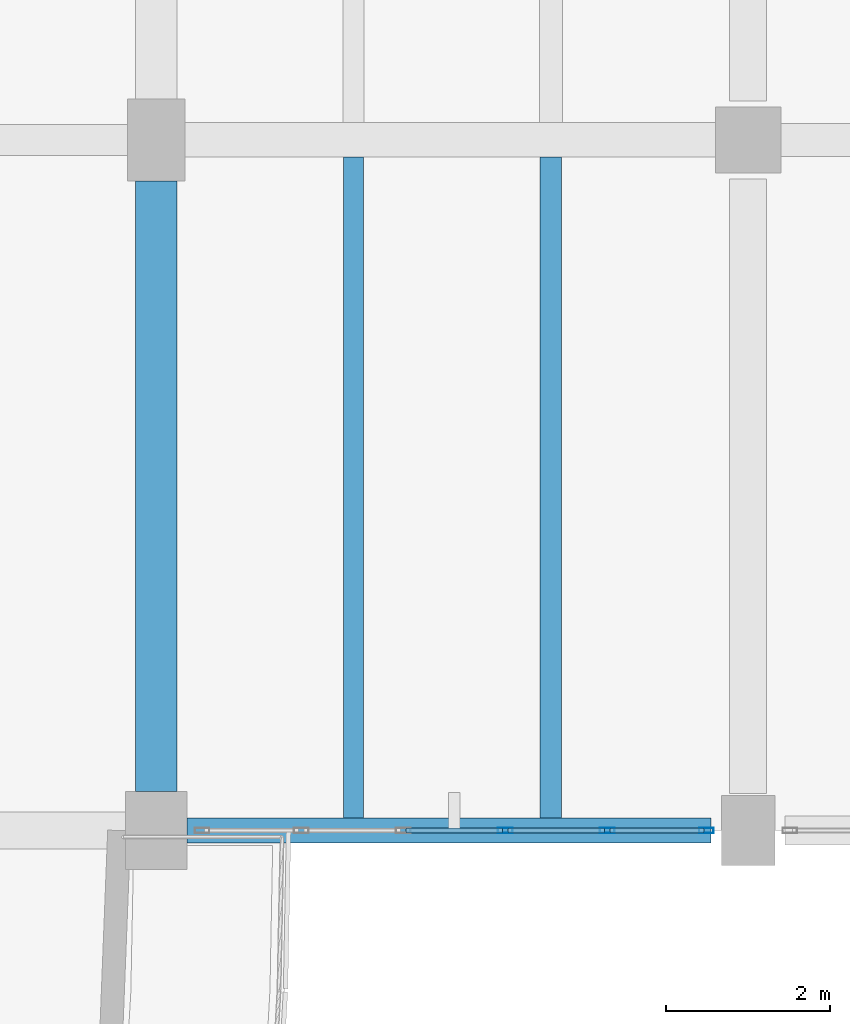
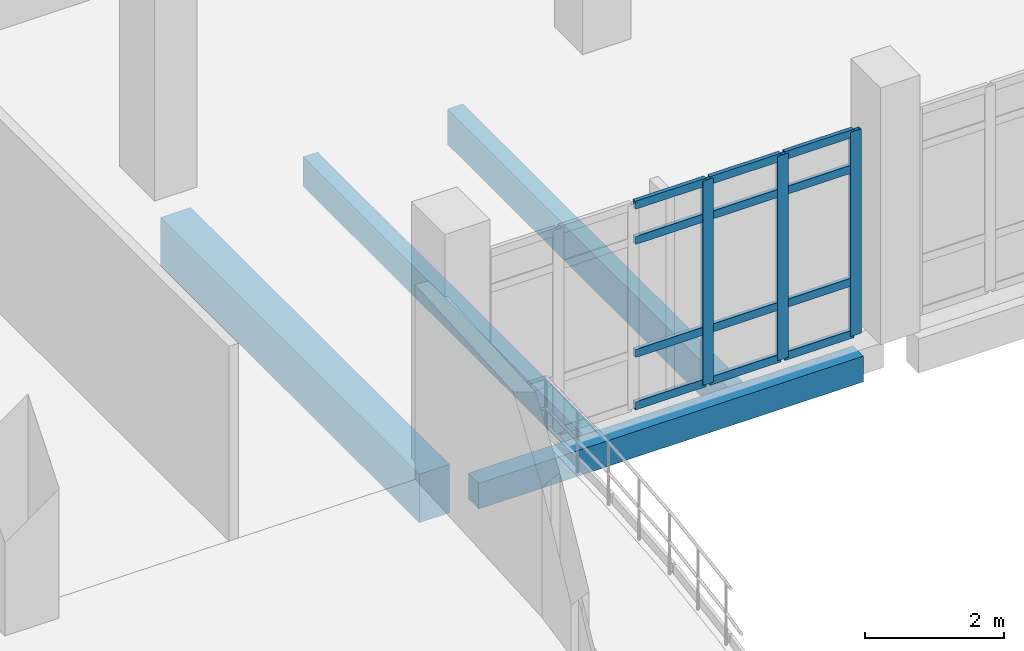
# One storey, part 64 of 134: 15 members, 4 beams, 1 element without a shape of its own.
"""IFC4 building model written with IfcOpenShell, lengths in metres."""

from ifc_helpers import new_model, si_unit, direction, frame, origin, origin_2d, place, context, subcontext, project, spatial, rectangle, hollow_rectangle, extrude, material, material_profile, profile_set, type_object, element, aggregate, save


model = new_model("IFC4")

# Units and contexts
model_context = context("Model", 3, precision=1e-05, world=origin(), true_north=direction((0.0, 1.0)))
body_context = subcontext(model_context, "Body", "Model", "MODEL_VIEW")
ifc_project = project(units=[si_unit("LENGTHUNIT", "METRE"), si_unit("AREAUNIT", "SQUARE_METRE"), si_unit("VOLUMEUNIT", "CUBIC_METRE"), si_unit("PLANEANGLEUNIT", "RADIAN"), si_unit("MASSUNIT", "GRAM", prefix="KILO")], contexts=[model_context])

# Site, building, storey
site_placement = place(None, origin())
site = spatial("IfcSite", under=ifc_project, at=site_placement, CompositionType="ELEMENT")
building_placement = place(site_placement, origin())
building = spatial("IfcBuilding", under=site, at=building_placement, Name="Kalluvel Institute of Natural Sciences", CompositionType="ELEMENT")
storey_placement = place(building_placement, frame((0.0, 0.0, 5.39990234375)))
storey = spatial("IfcBuildingStorey", under=building, at=storey_placement, Name="L01", CompositionType="ELEMENT", Elevation=5.39990234375)

# Beam
ifc_material_1 = material(Name="Concrete M50", Category="concrete")
ifc_material_profile_1 = material_profile(ifc_material_1, rectangle(XDim=0.5, YDim=0.85009765625, at=origin_2d()), Name="RCB 500x850")
ifc_profile_set_1 = profile_set([ifc_material_profile_1], Name="Concrete M50")
beam_type_1 = type_object("IfcBeamType", Name="BM-RC500x850", PredefinedType="BEAM", material=ifc_profile_set_1)
beam_1_placement = place(storey_placement, frame((86.0, 103.27490234375, -0.744873046875), z_axis=(0.0, 1.0, 0.0), x_axis=(-1.0, 0.0, 0.0)))
element("IfcBeam", 1, at=beam_1_placement, inside=storey, type_object=beam_type_1, Name="L01 girder GIR-L01-NS-X860-Y1028", PredefinedType="BEAM", context=body_context, shape_type="SweptSolid", body=[
    extrude(rectangle(XDim=0.5, YDim=0.85009765625, at=origin_2d()), origin(), (0.0, 0.0, 1.0), 7.425048828125),
])

# Curtain wall, members
ifc_material_2 = material(Name="Aluminium AW-6063 T6", Category="aluminium")
curtain_wall_type = type_object("IfcCurtainWallType", Name="CW-WET-45", PredefinedType="USERDEFINED", material=ifc_material_2)
curtain_wall_placement = place(storey_placement, origin())
curtain_wall = element("IfcCurtainWall", 2, at=curtain_wall_placement, inside=storey, type_object=curtain_wall_type, Name="L01 Gothic lancet curtain wall CWA-L01-X865-Y1028", ObjectType="UNITISED LANCET FACADE", PredefinedType="USERDEFINED")
ifc_material_profile_2 = material_profile(ifc_material_2, hollow_rectangle(XDim=0.06494140625, YDim=0.179931640625, WallThickness=0.00439453125, at=origin_2d()), Name="CWM 65x180")
ifc_profile_set_2 = profile_set([ifc_material_profile_2], Name="Aluminium AW-6063 T6")
member_type_1 = type_object("IfcMemberType", Name="CWM-65x180", PredefinedType="MULLION", material=ifc_profile_set_2)
member_1_placement = place(storey_placement, frame((90.2451171875, 102.800048828125, 0.0), z_axis=(0.0, 0.0, 1.0), x_axis=(0.0, 1.0, 0.0)))
member_1 = element("IfcMember", 3, at=member_1_placement, type_object=member_type_1, Name="CW-01 mullion 4", PredefinedType="MULLION", context=body_context, shape_type="SweptSolid", body=[
    extrude(hollow_rectangle(XDim=0.06494140625, YDim=0.179931640625, WallThickness=0.00439453125, at=origin_2d()), origin(), (0.0, 0.0, 1.0), 3.580078125),
])
member_2_placement = place(storey_placement, frame((91.485107421875, 102.800048828125, 0.0), z_axis=(0.0, 0.0, 1.0), x_axis=(0.0, 1.0, 0.0)))
member_2 = element("IfcMember", 4, at=member_2_placement, type_object=member_type_1, Name="CW-01 mullion 5", PredefinedType="MULLION", context=body_context, shape_type="SweptSolid", body=[
    extrude(hollow_rectangle(XDim=0.06494140625, YDim=0.179931640625, WallThickness=0.00439453125, at=origin_2d()), origin(), (0.0, 0.0, 1.0), 3.580078125),
])
member_3_placement = place(storey_placement, frame((92.6923828125, 102.800048828125, 0.0), z_axis=(0.0, 0.0, 1.0), x_axis=(0.0, 1.0, 0.0)))
member_3 = element("IfcMember", 5, at=member_3_placement, type_object=member_type_1, Name="CW-01 mullion 6", PredefinedType="MULLION", context=body_context, shape_type="SweptSolid", body=[
    extrude(hollow_rectangle(XDim=0.06494140625, YDim=0.179931640625, WallThickness=0.00439453125, at=origin_2d()), origin(), (0.0, 0.0, 1.0), 3.580078125),
])
ifc_material_profile_3 = material_profile(ifc_material_2, hollow_rectangle(XDim=0.06494140625, YDim=0.139892578125, WallThickness=0.00439453125, at=origin_2d()), Name="CWT 65x140")
ifc_profile_set_3 = profile_set([ifc_material_profile_3], Name="Aluminium AW-6063 T6")
member_type_2 = type_object("IfcMemberType", Name="CWT-65x140", PredefinedType="USERDEFINED", material=ifc_profile_set_3)
member_4_placement = place(storey_placement, frame((89.03759765625, 102.800048828125, 0.03271484375), z_axis=(1.0, 0.0, 0.0), x_axis=(0.0, 1.0, 0.0)))
member_4 = element("IfcMember", 6, at=member_4_placement, type_object=member_type_2, Name="CW-01 transom 3.1", ObjectType="TRANSOM", PredefinedType="USERDEFINED", context=body_context, shape_type="SweptSolid", body=[
    extrude(hollow_rectangle(XDim=0.06494140625, YDim=0.139892578125, WallThickness=0.00439453125, at=origin_2d()), origin(), (0.0, 0.0, 1.0), 1.1748046875),
])
member_5_placement = place(storey_placement, frame((89.03759765625, 102.800048828125, 0.9501953125), z_axis=(1.0, 0.0, 0.0), x_axis=(0.0, 1.0, 0.0)))
member_5 = element("IfcMember", 7, at=member_5_placement, type_object=member_type_2, Name="CW-01 transom 3.2", ObjectType="TRANSOM", PredefinedType="USERDEFINED", context=body_context, shape_type="SweptSolid", body=[
    extrude(hollow_rectangle(XDim=0.06494140625, YDim=0.139892578125, WallThickness=0.00439453125, at=origin_2d()), origin(), (0.0, 0.0, 1.0), 1.1748046875),
])
member_6_placement = place(storey_placement, frame((89.03759765625, 102.800048828125, 2.93017578125), z_axis=(1.0, 0.0, 0.0), x_axis=(0.0, 1.0, 0.0)))
member_6 = element("IfcMember", 8, at=member_6_placement, type_object=member_type_2, Name="CW-01 transom 3.3", ObjectType="TRANSOM", PredefinedType="USERDEFINED", context=body_context, shape_type="SweptSolid", body=[
    extrude(hollow_rectangle(XDim=0.06494140625, YDim=0.139892578125, WallThickness=0.00439453125, at=origin_2d()), origin(), (0.0, 0.0, 1.0), 1.1748046875),
])
member_7_placement = place(storey_placement, frame((89.03759765625, 102.800048828125, 3.547607421875), z_axis=(1.0, 0.0, 0.0), x_axis=(0.0, 1.0, 0.0)))
member_7 = element("IfcMember", 9, at=member_7_placement, type_object=member_type_2, Name="CW-01 transom 3.4", ObjectType="TRANSOM", PredefinedType="USERDEFINED", context=body_context, shape_type="SweptSolid", body=[
    extrude(hollow_rectangle(XDim=0.06494140625, YDim=0.139892578125, WallThickness=0.00439453125, at=origin_2d()), origin(), (0.0, 0.0, 1.0), 1.1748046875),
])
member_8_placement = place(storey_placement, frame((90.277587890625, 102.800048828125, 0.03271484375), z_axis=(1.0, 0.0, 0.0), x_axis=(0.0, 1.0, 0.0)))
member_8 = element("IfcMember", 10, at=member_8_placement, type_object=member_type_2, Name="CW-01 transom 4.1", ObjectType="TRANSOM", PredefinedType="USERDEFINED", context=body_context, shape_type="SweptSolid", body=[
    extrude(hollow_rectangle(XDim=0.06494140625, YDim=0.139892578125, WallThickness=0.00439453125, at=origin_2d()), origin(), (0.0, 0.0, 1.0), 1.1748046875),
])
member_9_placement = place(storey_placement, frame((90.277587890625, 102.800048828125, 0.9501953125), z_axis=(1.0, 0.0, 0.0), x_axis=(0.0, 1.0, 0.0)))
member_9 = element("IfcMember", 11, at=member_9_placement, type_object=member_type_2, Name="CW-01 transom 4.2", ObjectType="TRANSOM", PredefinedType="USERDEFINED", context=body_context, shape_type="SweptSolid", body=[
    extrude(hollow_rectangle(XDim=0.06494140625, YDim=0.139892578125, WallThickness=0.00439453125, at=origin_2d()), origin(), (0.0, 0.0, 1.0), 1.1748046875),
])
member_10_placement = place(storey_placement, frame((90.277587890625, 102.800048828125, 2.93017578125), z_axis=(1.0, 0.0, 0.0), x_axis=(0.0, 1.0, 0.0)))
member_10 = element("IfcMember", 12, at=member_10_placement, type_object=member_type_2, Name="CW-01 transom 4.3", ObjectType="TRANSOM", PredefinedType="USERDEFINED", context=body_context, shape_type="SweptSolid", body=[
    extrude(hollow_rectangle(XDim=0.06494140625, YDim=0.139892578125, WallThickness=0.00439453125, at=origin_2d()), origin(), (0.0, 0.0, 1.0), 1.1748046875),
])
member_11_placement = place(storey_placement, frame((90.277587890625, 102.800048828125, 3.547607421875), z_axis=(1.0, 0.0, 0.0), x_axis=(0.0, 1.0, 0.0)))
member_11 = element("IfcMember", 13, at=member_11_placement, type_object=member_type_2, Name="CW-01 transom 4.4", ObjectType="TRANSOM", PredefinedType="USERDEFINED", context=body_context, shape_type="SweptSolid", body=[
    extrude(hollow_rectangle(XDim=0.06494140625, YDim=0.139892578125, WallThickness=0.00439453125, at=origin_2d()), origin(), (0.0, 0.0, 1.0), 1.1748046875),
])
member_12_placement = place(storey_placement, frame((91.517578125, 102.800048828125, 0.03271484375), z_axis=(1.0, 0.0, 0.0), x_axis=(0.0, 1.0, 0.0)))
member_12 = element("IfcMember", 14, at=member_12_placement, type_object=member_type_2, Name="CW-01 transom 5.1", ObjectType="TRANSOM", PredefinedType="USERDEFINED", context=body_context, shape_type="SweptSolid", body=[
    extrude(hollow_rectangle(XDim=0.06494140625, YDim=0.139892578125, WallThickness=0.00439453125, at=origin_2d()), origin(), (0.0, 0.0, 1.0), 1.142333984375),
])
member_13_placement = place(storey_placement, frame((91.517578125, 102.800048828125, 0.9501953125), z_axis=(1.0, 0.0, 0.0), x_axis=(0.0, 1.0, 0.0)))
member_13 = element("IfcMember", 15, at=member_13_placement, type_object=member_type_2, Name="CW-01 transom 5.2", ObjectType="TRANSOM", PredefinedType="USERDEFINED", context=body_context, shape_type="SweptSolid", body=[
    extrude(hollow_rectangle(XDim=0.06494140625, YDim=0.139892578125, WallThickness=0.00439453125, at=origin_2d()), origin(), (0.0, 0.0, 1.0), 1.142333984375),
])
member_14_placement = place(storey_placement, frame((91.517578125, 102.800048828125, 2.93017578125), z_axis=(1.0, 0.0, 0.0), x_axis=(0.0, 1.0, 0.0)))
member_14 = element("IfcMember", 16, at=member_14_placement, type_object=member_type_2, Name="CW-01 transom 5.3", ObjectType="TRANSOM", PredefinedType="USERDEFINED", context=body_context, shape_type="SweptSolid", body=[
    extrude(hollow_rectangle(XDim=0.06494140625, YDim=0.139892578125, WallThickness=0.00439453125, at=origin_2d()), origin(), (0.0, 0.0, 1.0), 1.142333984375),
])
member_15_placement = place(storey_placement, frame((91.517578125, 102.800048828125, 3.547607421875), z_axis=(1.0, 0.0, 0.0), x_axis=(0.0, 1.0, 0.0)))
member_15 = element("IfcMember", 17, at=member_15_placement, type_object=member_type_2, Name="CW-01 transom 5.4", ObjectType="TRANSOM", PredefinedType="USERDEFINED", context=body_context, shape_type="SweptSolid", body=[
    extrude(hollow_rectangle(XDim=0.06494140625, YDim=0.139892578125, WallThickness=0.00439453125, at=origin_2d()), origin(), (0.0, 0.0, 1.0), 1.142333984375),
])
aggregate(curtain_wall, [member_1, member_2, member_3, member_4, member_5, member_6, member_7, member_8, member_9, member_10, member_11, member_12, member_13, member_14, member_15])

# Beams
ifc_material_3 = material(Name="Concrete M40", Category="concrete")
ifc_material_profile_4 = material_profile(ifc_material_3, rectangle(XDim=0.300048828125, YDim=0.449951171875, at=origin_2d()), Name="RCB 300x450")
ifc_profile_set_4 = profile_set([ifc_material_profile_4], Name="Concrete M40")
beam_type_2 = type_object("IfcBeamType", Name="SP-RC300x450", PredefinedType="SPANDREL", material=ifc_profile_set_4)
beam_2_placement = place(storey_placement, frame((86.375, 102.800048828125, -0.544921875), z_axis=(1.0, 0.0, 0.0), x_axis=(0.0, 1.0, 0.0)))
element("IfcBeam", 18, at=beam_2_placement, inside=storey, type_object=beam_type_2, Name="L01 girder GIR-L01-EW-X860-Y1028", PredefinedType="SPANDREL", context=body_context, shape_type="SweptSolid", body=[
    extrude(rectangle(XDim=0.300048828125, YDim=0.449951171875, at=origin_2d()), origin(), (0.0, 0.0, 1.0), 6.375),
])
ifc_material_profile_5 = material_profile(ifc_material_3, rectangle(XDim=0.239990234375, YDim=0.52001953125, at=origin_2d()), Name="WAF 240x520")
ifc_profile_set_5 = profile_set([ifc_material_profile_5], Name="Concrete M40")
beam_type_3 = type_object("IfcBeamType", Name="WJ-240x520", PredefinedType="JOIST", material=ifc_profile_set_5)
beam_3_placement = place(storey_placement, frame((88.39990234375, 102.949951171875, -0.579833984375), z_axis=(0.0, 1.0, 0.0), x_axis=(-1.0, 0.0, 0.0)))
element("IfcBeam", 19, at=beam_3_placement, inside=storey, type_object=beam_type_3, Name="L01 waffle joist RIB-L01-0119", PredefinedType="JOIST", context=body_context, shape_type="SweptSolid", body=[
    extrude(rectangle(XDim=0.239990234375, YDim=0.52001953125, at=origin_2d()), origin(), (0.0, 0.0, 1.0), 8.0400390625),
])
ifc_material_profile_6 = material_profile(ifc_material_1, rectangle(XDim=0.260009765625, YDim=0.6201171875, at=origin_2d()), Name="WAF 260x620")
ifc_profile_set_6 = profile_set([ifc_material_profile_6], Name="Concrete M50")
beam_type_4 = type_object("IfcBeamType", Name="WJ-260x620", PredefinedType="JOIST", material=ifc_profile_set_6)
beam_4_placement = place(storey_placement, frame((90.800048828125, 102.949951171875, -0.6298828125), z_axis=(0.0, 1.0, 0.0), x_axis=(-1.0, 0.0, 0.0)))
element("IfcBeam", 20, at=beam_4_placement, inside=storey, type_object=beam_type_4, Name="L01 waffle joist RIB-L01-0120", PredefinedType="JOIST", context=body_context, shape_type="SweptSolid", body=[
    extrude(rectangle(XDim=0.260009765625, YDim=0.6201171875, at=origin_2d()), origin(), (0.0, 0.0, 1.0), 8.0400390625),
])

save(model, "model.ifc")
